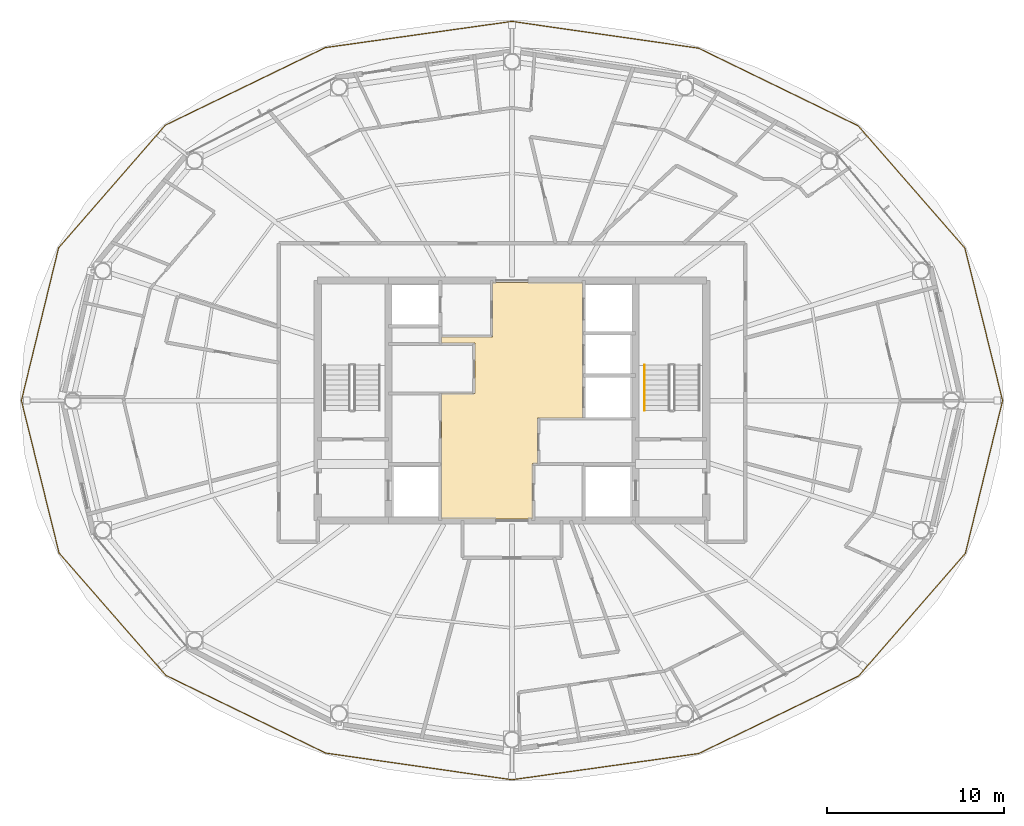
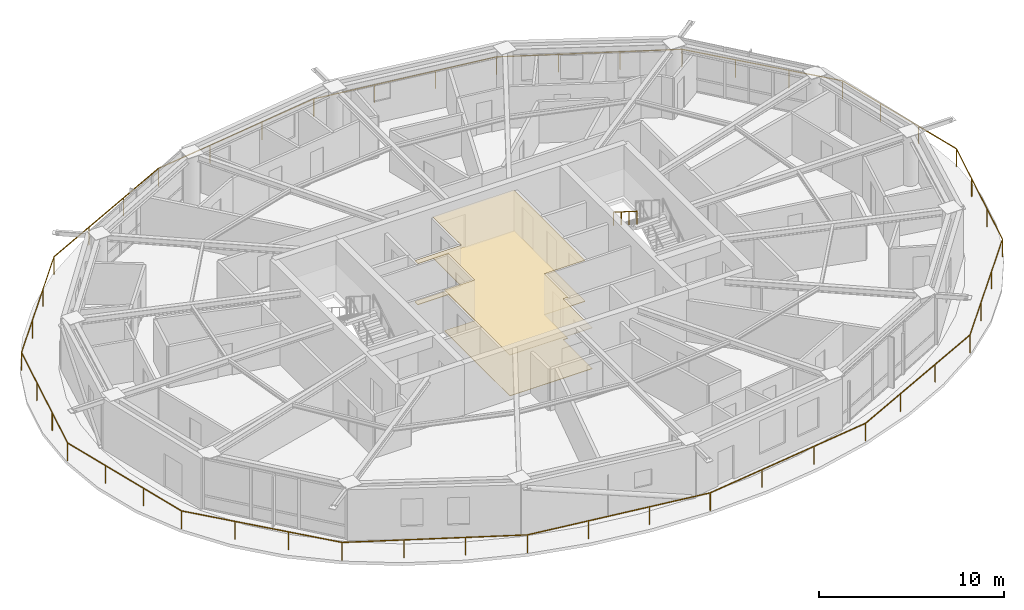
# One storey, part 22 of 23: 2 coverings, 2 railings.
"""IFC4 building model written with IfcOpenShell, lengths in metres."""

from ifc_helpers import new_model, si_unit, direction, frame, origin, origin_2d, place, context, subcontext, project, spatial, polyline, rectangle, outline, extrude, material, layer, layer_set, type_object, element, save


model = new_model("IFC4")

# Units and contexts
model_context = context("Model", 3, precision=1e-05, world=origin(), true_north=direction((0.0, 1.0)))
body_context = subcontext(model_context, "Body", "Model", "MODEL_VIEW")
ifc_project = project(units=[si_unit("LENGTHUNIT", "METRE"), si_unit("AREAUNIT", "SQUARE_METRE"), si_unit("VOLUMEUNIT", "CUBIC_METRE"), si_unit("PLANEANGLEUNIT", "RADIAN"), si_unit("MASSUNIT", "GRAM", prefix="KILO")], contexts=[model_context])

# Site, building, storey
site_placement = place(None, origin())
site = spatial("IfcSite", under=ifc_project, at=site_placement, CompositionType="ELEMENT")
building_placement = place(site_placement, origin())
building = spatial("IfcBuilding", under=site, at=building_placement, Name="Sarneth Arch Tower", CompositionType="ELEMENT")
storey_placement = place(building_placement, frame((0.0, 0.0, 262.199951171875)))
storey = spatial("IfcBuildingStorey", under=building, at=storey_placement, Name="L67", CompositionType="ELEMENT", Elevation=262.199951171875)

# Coverings
ifc_material_1 = material(Name="Perforated acoustic gypsum ceiling board")
ifc_layer_1 = layer(ifc_material_1, 0.02490234375)
ifc_layer_set_1 = layer_set([ifc_layer_1], Name="Perforated acoustic gypsum ceiling board")
covering_type_1 = type_object("IfcCoveringType", Name="COV-CEIL-GYP", PredefinedType="CEILING", material=ifc_layer_set_1)
covering_1_placement = place(storey_placement, frame((0.0, 0.0, 2.699951171875)))
element("IfcCovering", 1, at=covering_1_placement, inside=storey, type_object=covering_type_1, Name="L67 Lift lobby acoustic ceiling", PredefinedType="CEILING", context=body_context, shape_type="SweptSolid", body=[
    extrude(outline(polyline([(49.449951171875, 41.0), (49.449951171875, 38.449951171875), (49.14990234375, 38.449951171875), (49.14990234375, 35.300048828125), (44.0, 35.300048828125), (44.0, 42.39990234375), (45.89990234375, 42.39990234375), (45.89990234375, 45.25), (44.0, 45.25), (44.0, 45.60009765625), (46.89990234375, 45.60009765625), (46.89990234375, 48.699951171875), (52.0, 48.699951171875), (52.0, 41.0), (49.449951171875, 41.0)])), origin(), (0.0, 0.0, 1.0), 0.030029296875),
])
ifc_material_2 = material(Name="Honed granite stone flooring", Category="masonry")
ifc_layer_2 = layer(ifc_material_2, 0.030029296875)
ifc_layer_set_2 = layer_set([ifc_layer_2], Name="Honed granite stone flooring")
covering_type_2 = type_object("IfcCoveringType", Name="COV-FLR-STONE", PredefinedType="FLOORING", material=ifc_layer_set_2)
covering_2_placement = place(storey_placement, origin())
element("IfcCovering", 2, at=covering_2_placement, inside=storey, type_object=covering_type_2, Name="L67 Lift lobby granite flooring", PredefinedType="FLOORING", context=body_context, shape_type="SweptSolid", body=[
    extrude(outline(polyline([(49.449951171875, 41.0), (49.449951171875, 38.449951171875), (49.14990234375, 38.449951171875), (49.14990234375, 35.300048828125), (44.0, 35.300048828125), (44.0, 42.39990234375), (45.89990234375, 42.39990234375), (45.89990234375, 45.25), (44.0, 45.25), (44.0, 45.60009765625), (46.89990234375, 45.60009765625), (46.89990234375, 48.699951171875), (52.0, 48.699951171875), (52.0, 41.0), (49.449951171875, 41.0)])), origin(), (0.0, 0.0, 1.0), 0.030029296875),
])

# Railings
ifc_material_3 = material(Name="Laminated structural glass infill with Stainless Steel 316 top rail and posts", Category="steel")
railing_type_1 = type_object("IfcRailingType", Name="RAIL-BALC-1200", PredefinedType="BALUSTRADE", material=ifc_material_3)
railing_1_placement = place(storey_placement, frame((75.780029296875, 42.0, 0.0)))
element("IfcRailing", 3, at=railing_1_placement, inside=storey, type_object=railing_type_1, Name="L67 Helical balcony glass balustrade", PredefinedType="BALUSTRADE", context=body_context, shape_type="SweptSolid", body=[
    extrude(rectangle(XDim=0.048095703125, YDim=0.048095703125, at=origin_2d()), frame((0.0, 0.0, 1.17578125), z_axis=(-0.239937744039, 0.970788277116, 0.0), x_axis=(-0.970788277116, -0.239937744039, 0.0)), (0.0, 0.0, 1.0), 8.89208984375),
    extrude(rectangle(XDim=0.048095703125, YDim=0.048095703125, at=origin_2d()), frame((-2.133544921875, 8.63232421875, 1.17578125), z_axis=(-0.65751313992, 0.753443077367, 0.0), x_axis=(-0.753443077367, -0.65751313992, 0.0)), (0.0, 0.0, 1.0), 9.1923828125),
    extrude(rectangle(XDim=0.048095703125, YDim=0.048095703125, at=origin_2d()), frame((-8.177734375, 15.558349609375, 1.17578125), z_axis=(-0.899264000798, 0.437406283526, 0.0), x_axis=(-0.437406283526, -0.899264000798, 0.0)), (0.0, 0.0, 1.0), 10.0546875),
    extrude(rectangle(XDim=0.048095703125, YDim=0.048095703125, at=origin_2d()), frame((-17.219482421875, 19.956298828125, 1.17578125), z_axis=(-0.989873835052, 0.14194995836, 0.0), x_axis=(-0.14194995836, -0.989873835052, 0.0)), (0.0, 0.0, 1.0), 10.66845703125),
    extrude(rectangle(XDim=0.048095703125, YDim=0.048095703125, at=origin_2d()), frame((-27.780029296875, 21.470703125, 1.17578125), z_axis=(-0.990289226599, -0.139022471862, 0.0), x_axis=(0.139022471862, -0.990289226599, 0.0)), (0.0, 0.0, 1.0), 10.673828125),
    extrude(rectangle(XDim=0.048095703125, YDim=0.048095703125, at=origin_2d()), frame((-38.35009765625, 19.98681640625, 1.17578125), z_axis=(-0.899830837423, -0.43623899874, 0.0), x_axis=(0.43623899874, -0.899830837423, 0.0)), (0.0, 0.0, 1.0), 10.068115234375),
    extrude(rectangle(XDim=0.048095703125, YDim=0.048095703125, at=origin_2d()), frame((-47.40966796875, 15.5947265625, 1.17578125), z_axis=(-0.656426140343, -0.754390298369, 0.0), x_axis=(0.754390298369, -0.656426140343, 0.0)), (0.0, 0.0, 1.0), 9.20849609375),
    extrude(rectangle(XDim=0.048095703125, YDim=0.048095703125, at=origin_2d()), frame((-53.454345703125, 8.64794921875, 1.17578125), z_axis=(-0.236580449101, -0.971611903541, 0.0), x_axis=(0.971611903541, -0.236580449101, 0.0)), (0.0, 0.0, 1.0), 8.900634765625),
    extrude(rectangle(XDim=0.048095703125, YDim=0.048095703125, at=origin_2d()), frame((-55.56005859375, 0.0, 1.17578125), z_axis=(0.239937744039, -0.970788277116, 0.0), x_axis=(0.970788277116, 0.239937744039, 0.0)), (0.0, 0.0, 1.0), 8.89208984375),
    extrude(rectangle(XDim=0.048095703125, YDim=0.048095703125, at=origin_2d()), frame((-53.426513671875, -8.63232421875, 1.17578125), z_axis=(0.65751313992, -0.753443077367, 0.0), x_axis=(0.753443077367, 0.65751313992, 0.0)), (0.0, 0.0, 1.0), 9.1923828125),
    extrude(rectangle(XDim=0.048095703125, YDim=0.048095703125, at=origin_2d()), frame((-47.38232421875, -15.558349609375, 1.17578125), z_axis=(0.899264000798, -0.437406283526, 0.0), x_axis=(0.437406283526, 0.899264000798, 0.0)), (0.0, 0.0, 1.0), 10.0546875),
    extrude(rectangle(XDim=0.048095703125, YDim=0.048095703125, at=origin_2d()), frame((-38.340576171875, -19.956298828125, 1.17578125), z_axis=(0.989873835052, -0.14194995836, 0.0), x_axis=(0.14194995836, 0.989873835052, 0.0)), (0.0, 0.0, 1.0), 10.66845703125),
    extrude(rectangle(XDim=0.048095703125, YDim=0.048095703125, at=origin_2d()), frame((-27.780029296875, -21.470703125, 1.17578125), z_axis=(0.990289226599, 0.139022471862, 0.0), x_axis=(-0.139022471862, 0.990289226599, 0.0)), (0.0, 0.0, 1.0), 10.673828125),
    extrude(rectangle(XDim=0.048095703125, YDim=0.048095703125, at=origin_2d()), frame((-17.2099609375, -19.98681640625, 1.17578125), z_axis=(0.899830837423, 0.43623899874, 0.0), x_axis=(-0.43623899874, 0.899830837423, 0.0)), (0.0, 0.0, 1.0), 10.068115234375),
    extrude(rectangle(XDim=0.048095703125, YDim=0.048095703125, at=origin_2d()), frame((-8.150390625, -15.5947265625, 1.17578125), z_axis=(0.656426140343, 0.754390298369, 0.0), x_axis=(-0.754390298369, 0.656426140343, 0.0)), (0.0, 0.0, 1.0), 9.20849609375),
    extrude(rectangle(XDim=0.048095703125, YDim=0.048095703125, at=origin_2d()), frame((-2.105712890625, -8.64794921875, 1.17578125), z_axis=(0.236580449101, 0.971611903541, 0.0), x_axis=(-0.971611903541, 0.236580449101, 0.0)), (0.0, 0.0, 1.0), 8.900634765625),
    extrude(rectangle(XDim=0.0419921875, YDim=0.0419921875, at=origin_2d()), origin(), (0.0, 0.0, 1.0), 1.15185546875),
    extrude(rectangle(XDim=0.0419921875, YDim=0.0419921875, at=origin_2d()), frame((-0.711181640625, 2.87744140625, 0.0)), (0.0, 0.0, 1.0), 1.15185546875),
    extrude(rectangle(XDim=0.0419921875, YDim=0.0419921875, at=origin_2d()), frame((-1.42236328125, 5.7548828125, 0.0)), (0.0, 0.0, 1.0), 1.15185546875),
    extrude(rectangle(XDim=0.0419921875, YDim=0.0419921875, at=origin_2d()), frame((-2.133544921875, 8.63232421875, 0.0)), (0.0, 0.0, 1.0), 1.15185546875),
    extrude(rectangle(XDim=0.0419921875, YDim=0.0419921875, at=origin_2d()), frame((-4.148193359375, 10.94091796875, 0.0)), (0.0, 0.0, 1.0), 1.15185546875),
    extrude(rectangle(XDim=0.0419921875, YDim=0.0419921875, at=origin_2d()), frame((-6.1630859375, 13.249755859375, 0.0)), (0.0, 0.0, 1.0), 1.15185546875),
    extrude(rectangle(XDim=0.0419921875, YDim=0.0419921875, at=origin_2d()), frame((-8.177734375, 15.558349609375, 0.0)), (0.0, 0.0, 1.0), 1.15185546875),
    extrude(rectangle(XDim=0.0419921875, YDim=0.0419921875, at=origin_2d()), frame((-11.191650390625, 17.0244140625, 0.0)), (0.0, 0.0, 1.0), 1.15185546875),
    extrude(rectangle(XDim=0.0419921875, YDim=0.0419921875, at=origin_2d()), frame((-14.20556640625, 18.490234375, 0.0)), (0.0, 0.0, 1.0), 1.15185546875),
    extrude(rectangle(XDim=0.0419921875, YDim=0.0419921875, at=origin_2d()), frame((-17.219482421875, 19.956298828125, 0.0)), (0.0, 0.0, 1.0), 1.15185546875),
    extrude(rectangle(XDim=0.0419921875, YDim=0.0419921875, at=origin_2d()), frame((-20.73974609375, 20.461181640625, 0.0)), (0.0, 0.0, 1.0), 1.15185546875),
    extrude(rectangle(XDim=0.0419921875, YDim=0.0419921875, at=origin_2d()), frame((-24.259765625, 20.9658203125, 0.0)), (0.0, 0.0, 1.0), 1.15185546875),
    extrude(rectangle(XDim=0.0419921875, YDim=0.0419921875, at=origin_2d()), frame((-27.780029296875, 21.470703125, 0.0)), (0.0, 0.0, 1.0), 1.15185546875),
    extrude(rectangle(XDim=0.0419921875, YDim=0.0419921875, at=origin_2d()), frame((-31.303466796875, 20.97607421875, 0.0)), (0.0, 0.0, 1.0), 1.15185546875),
    extrude(rectangle(XDim=0.0419921875, YDim=0.0419921875, at=origin_2d()), frame((-34.82666015625, 20.4814453125, 0.0)), (0.0, 0.0, 1.0), 1.15185546875),
    extrude(rectangle(XDim=0.0419921875, YDim=0.0419921875, at=origin_2d()), frame((-38.35009765625, 19.98681640625, 0.0)), (0.0, 0.0, 1.0), 1.15185546875),
    extrude(rectangle(XDim=0.0419921875, YDim=0.0419921875, at=origin_2d()), frame((-41.369873046875, 18.522705078125, 0.0)), (0.0, 0.0, 1.0), 1.15185546875),
    extrude(rectangle(XDim=0.0419921875, YDim=0.0419921875, at=origin_2d()), frame((-44.389892578125, 17.058837890625, 0.0)), (0.0, 0.0, 1.0), 1.15185546875),
    extrude(rectangle(XDim=0.0419921875, YDim=0.0419921875, at=origin_2d()), frame((-47.40966796875, 15.5947265625, 0.0)), (0.0, 0.0, 1.0), 1.15185546875),
    extrude(rectangle(XDim=0.0419921875, YDim=0.0419921875, at=origin_2d()), frame((-49.424560546875, 13.279052734375, 0.0)), (0.0, 0.0, 1.0), 1.15185546875),
    extrude(rectangle(XDim=0.0419921875, YDim=0.0419921875, at=origin_2d()), frame((-51.439453125, 10.963623046875, 0.0)), (0.0, 0.0, 1.0), 1.15185546875),
    extrude(rectangle(XDim=0.0419921875, YDim=0.0419921875, at=origin_2d()), frame((-53.454345703125, 8.64794921875, 0.0)), (0.0, 0.0, 1.0), 1.15185546875),
    extrude(rectangle(XDim=0.0419921875, YDim=0.0419921875, at=origin_2d()), frame((-54.15625, 5.765380859375, 0.0)), (0.0, 0.0, 1.0), 1.15185546875),
    extrude(rectangle(XDim=0.0419921875, YDim=0.0419921875, at=origin_2d()), frame((-54.858154296875, 2.882568359375, 0.0)), (0.0, 0.0, 1.0), 1.15185546875),
    extrude(rectangle(XDim=0.0419921875, YDim=0.0419921875, at=origin_2d()), frame((-55.56005859375, 0.0, 0.0)), (0.0, 0.0, 1.0), 1.15185546875),
    extrude(rectangle(XDim=0.0419921875, YDim=0.0419921875, at=origin_2d()), frame((-54.848876953125, -2.87744140625, 0.0)), (0.0, 0.0, 1.0), 1.15185546875),
    extrude(rectangle(XDim=0.0419921875, YDim=0.0419921875, at=origin_2d()), frame((-54.1376953125, -5.7548828125, 0.0)), (0.0, 0.0, 1.0), 1.15185546875),
    extrude(rectangle(XDim=0.0419921875, YDim=0.0419921875, at=origin_2d()), frame((-53.426513671875, -8.63232421875, 0.0)), (0.0, 0.0, 1.0), 1.15185546875),
    extrude(rectangle(XDim=0.0419921875, YDim=0.0419921875, at=origin_2d()), frame((-51.411865234375, -10.94091796875, 0.0)), (0.0, 0.0, 1.0), 1.15185546875),
    extrude(rectangle(XDim=0.0419921875, YDim=0.0419921875, at=origin_2d()), frame((-49.39697265625, -13.249755859375, 0.0)), (0.0, 0.0, 1.0), 1.15185546875),
    extrude(rectangle(XDim=0.0419921875, YDim=0.0419921875, at=origin_2d()), frame((-47.38232421875, -15.558349609375, 0.0)), (0.0, 0.0, 1.0), 1.15185546875),
    extrude(rectangle(XDim=0.0419921875, YDim=0.0419921875, at=origin_2d()), frame((-44.368408203125, -17.0244140625, 0.0)), (0.0, 0.0, 1.0), 1.15185546875),
    extrude(rectangle(XDim=0.0419921875, YDim=0.0419921875, at=origin_2d()), frame((-41.3544921875, -18.490234375, 0.0)), (0.0, 0.0, 1.0), 1.15185546875),
    extrude(rectangle(XDim=0.0419921875, YDim=0.0419921875, at=origin_2d()), frame((-38.340576171875, -19.956298828125, 0.0)), (0.0, 0.0, 1.0), 1.15185546875),
    extrude(rectangle(XDim=0.0419921875, YDim=0.0419921875, at=origin_2d()), frame((-34.8203125, -20.461181640625, 0.0)), (0.0, 0.0, 1.0), 1.15185546875),
    extrude(rectangle(XDim=0.0419921875, YDim=0.0419921875, at=origin_2d()), frame((-31.30029296875, -20.9658203125, 0.0)), (0.0, 0.0, 1.0), 1.15185546875),
    extrude(rectangle(XDim=0.0419921875, YDim=0.0419921875, at=origin_2d()), frame((-27.780029296875, -21.470703125, 0.0)), (0.0, 0.0, 1.0), 1.15185546875),
    extrude(rectangle(XDim=0.0419921875, YDim=0.0419921875, at=origin_2d()), frame((-24.256591796875, -20.97607421875, 0.0)), (0.0, 0.0, 1.0), 1.15185546875),
    extrude(rectangle(XDim=0.0419921875, YDim=0.0419921875, at=origin_2d()), frame((-20.7333984375, -20.4814453125, 0.0)), (0.0, 0.0, 1.0), 1.15185546875),
    extrude(rectangle(XDim=0.0419921875, YDim=0.0419921875, at=origin_2d()), frame((-17.2099609375, -19.98681640625, 0.0)), (0.0, 0.0, 1.0), 1.15185546875),
    extrude(rectangle(XDim=0.0419921875, YDim=0.0419921875, at=origin_2d()), frame((-14.190185546875, -18.522705078125, 0.0)), (0.0, 0.0, 1.0), 1.15185546875),
    extrude(rectangle(XDim=0.0419921875, YDim=0.0419921875, at=origin_2d()), frame((-11.170166015625, -17.058837890625, 0.0)), (0.0, 0.0, 1.0), 1.15185546875),
    extrude(rectangle(XDim=0.0419921875, YDim=0.0419921875, at=origin_2d()), frame((-8.150390625, -15.5947265625, 0.0)), (0.0, 0.0, 1.0), 1.15185546875),
    extrude(rectangle(XDim=0.0419921875, YDim=0.0419921875, at=origin_2d()), frame((-6.135498046875, -13.279052734375, 0.0)), (0.0, 0.0, 1.0), 1.15185546875),
    extrude(rectangle(XDim=0.0419921875, YDim=0.0419921875, at=origin_2d()), frame((-4.12060546875, -10.963623046875, 0.0)), (0.0, 0.0, 1.0), 1.15185546875),
    extrude(rectangle(XDim=0.0419921875, YDim=0.0419921875, at=origin_2d()), frame((-2.105712890625, -8.64794921875, 0.0)), (0.0, 0.0, 1.0), 1.15185546875),
    extrude(rectangle(XDim=0.0419921875, YDim=0.0419921875, at=origin_2d()), frame((-1.40380859375, -5.765380859375, 0.0)), (0.0, 0.0, 1.0), 1.15185546875),
    extrude(rectangle(XDim=0.0419921875, YDim=0.0419921875, at=origin_2d()), frame((-0.701904296875, -2.882568359375, 0.0)), (0.0, 0.0, 1.0), 1.15185546875),
])
ifc_material_4 = material(Name="Brushed Stainless Steel 304 tubular handrail", Category="steel")
railing_type_2 = type_object("IfcRailingType", Name="RAIL-HANDRAIL-900", PredefinedType="HANDRAIL", material=ifc_material_4)
railing_2_placement = place(storey_placement, frame((55.5, 44.014892578125, 1.97998046875)))
element("IfcRailing", 4, at=railing_2_placement, inside=storey, type_object=railing_type_2, Name="L67 ST-2 stair handrail 2", PredefinedType="HANDRAIL", context=body_context, shape_type="SweptSolid", body=[
    extrude(rectangle(XDim=0.048095703125, YDim=0.048095703125, at=origin_2d()), frame((0.0, 0.0, 0.8759765625), z_axis=(0.0, -0.845465955043, 0.534029323973), x_axis=(1.0, 0.0, 0.0)), (0.0, 0.0, 1.0), 3.03369140625),
    extrude(rectangle(XDim=0.0419921875, YDim=0.0419921875, at=origin_2d()), origin(), (0.0, 0.0, 1.0), 0.851806640625),
    extrude(rectangle(XDim=0.0419921875, YDim=0.0419921875, at=origin_2d()), frame((0.0, -0.85498046875, 0.5400390625)), (0.0, 0.0, 1.0), 0.851806640625),
    extrude(rectangle(XDim=0.0419921875, YDim=0.0419921875, at=origin_2d()), frame((0.0, -1.7099609375, 1.080078125)), (0.0, 0.0, 1.0), 0.851806640625),
    extrude(rectangle(XDim=0.0419921875, YDim=0.0419921875, at=origin_2d()), frame((0.0, -2.56494140625, 1.6201171875)), (0.0, 0.0, 1.0), 0.851806640625),
])

save(model, "model.ifc")
